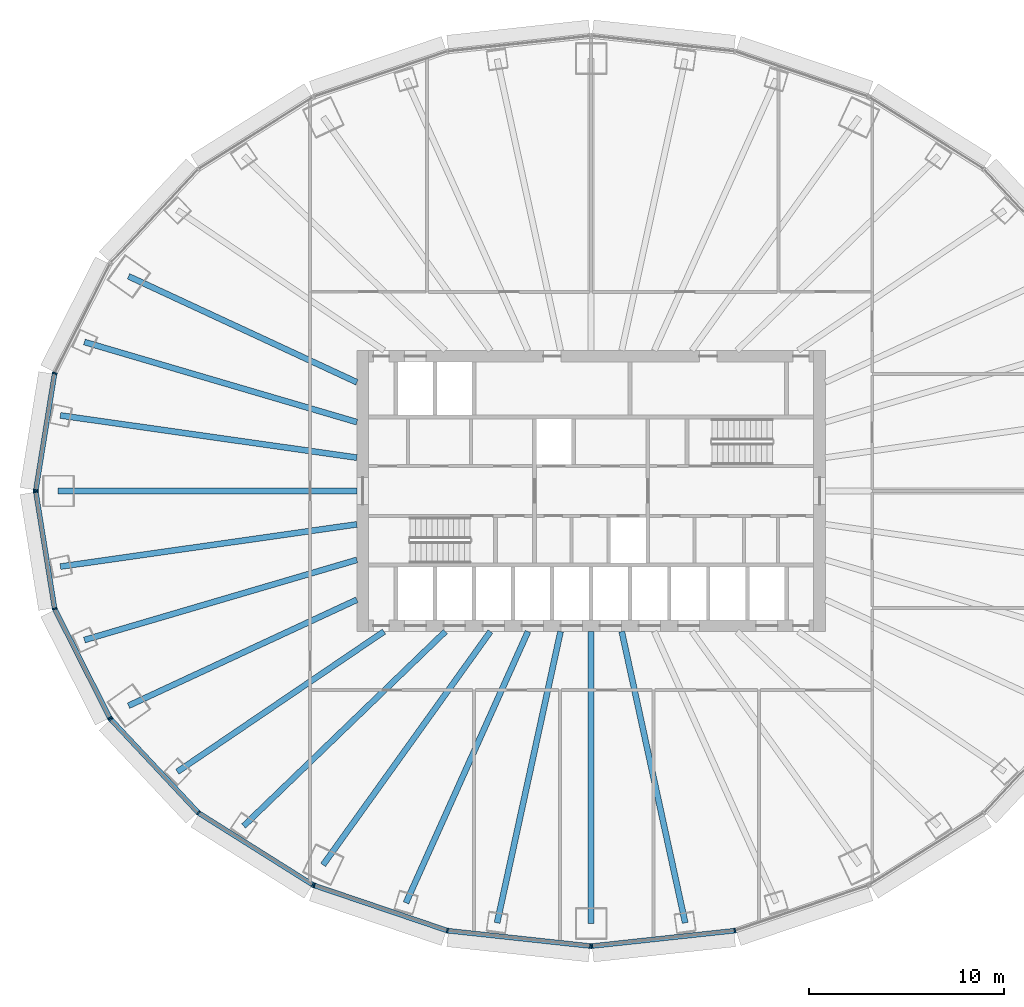
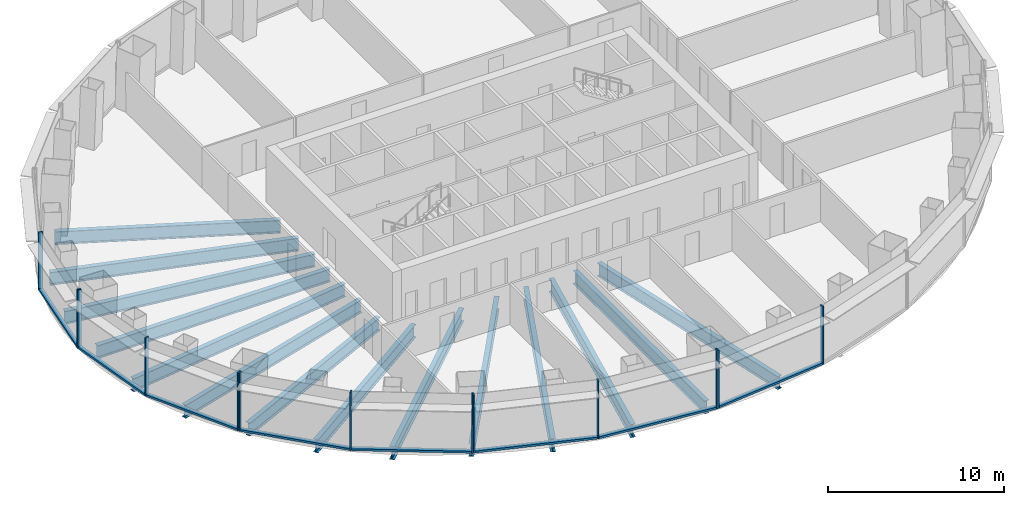
# One storey, part 2 of 13: 21 members, 14 beams, 5 elements without a shape of their own.
"""IFC4 building model written with IfcOpenShell, lengths in metres."""

import ifcopenshell
import ifcopenshell.guid

model = None  # the IFC model being written
_history = None  # IfcOwnerHistory: only IFC2X3 demands one
_inside = {}  # id of a spatial element -> (the spatial element, [elements in it])
_under = {}  # id of a project, library or spatial element -> (it, [spatial elements below it])
_declared = {}  # id of a project -> (the project, [libraries it declares])
_typed = {}  # id of a type object -> (the type object, [elements of that type])
_made_of = {}  # id of a material, layer set ... -> (it, [elements and type objects made of it])


def new_model(schema):
    """Start an empty IFC model of exactly this schema.

    Asked for "IFC4X3", IfcOpenShell would pick the latest addendum, in which some entities
    have other attributes; the version numbers below select the first issue.
    IFC2X3 requires an IfcOwnerHistory on every rooted entity: one is made here for all.
    """
    global model, _history
    if schema == "IFC4X3":
        model = ifcopenshell.file(schema_version=(4, 3, 0, 0))
    else:
        model = ifcopenshell.file(schema=schema)
    _inside.clear()
    _under.clear()
    _declared.clear()
    _typed.clear()
    _made_of.clear()
    _history = None
    if model.schema == "IFC2X3":
        org = make("IfcOrganization", Name="unknown")
        user = make(
            "IfcPersonAndOrganization",
            ThePerson=make("IfcPerson", FamilyName="unknown"),
            TheOrganization=org,
        )
        app = make(
            "IfcApplication",
            ApplicationDeveloper=org,
            Version="unknown",
            ApplicationFullName="unknown",
            ApplicationIdentifier="unknown",
        )
        _history = make(
            "IfcOwnerHistory",
            OwningUser=user,
            OwningApplication=app,
            ChangeAction="ADDED",
            CreationDate=0,
        )
    return model


def make(cls, **values):
    """One entity of the class cls with the attributes given. An attribute that is None is left unset."""
    return model.create_entity(
        cls, **{name: value for name, value in values.items() if value is not None}
    )


def rooted(cls, **values):
    """An entity with a GlobalId (a new one), such as an element, a storey or a relation."""
    return make(cls, GlobalId=ifcopenshell.guid.new(), OwnerHistory=_history, **values)


def si_unit(unit_type, name, prefix=None):
    """IfcSIUnit, for example si_unit("LENGTHUNIT", "METRE", prefix="MILLI")."""
    return make("IfcSIUnit", UnitType=unit_type, Prefix=prefix, Name=name)


def assignment(units):
    """IfcUnitAssignment: the units of a project."""
    return None if units is None else make("IfcUnitAssignment", Units=units)


def point(xyz):
    """IfcCartesianPoint."""
    return None if xyz is None else make("IfcCartesianPoint", Coordinates=xyz)


def direction(xyz):
    """IfcDirection."""
    return None if xyz is None else make("IfcDirection", DirectionRatios=xyz)


def frame(location, z_axis=None, x_axis=None):
    """IfcAxis2Placement3D, a coordinate frame: its origin and axes. An axis left out is left unset."""
    return make(
        "IfcAxis2Placement3D",
        Location=point(location),
        Axis=direction(z_axis),
        RefDirection=direction(x_axis),
    )


def frame_2d(location, x_axis=None):
    """IfcAxis2Placement2D, a coordinate frame in the plane: its origin and x axis."""
    return make(
        "IfcAxis2Placement2D", Location=point(location), RefDirection=direction(x_axis)
    )


def origin():
    """The frame at (0, 0, 0) with its axes left unset."""
    return frame((0.0, 0.0, 0.0))


def origin_2d():
    """The frame at (0, 0) in the plane with its x axis left unset."""
    return frame_2d((0.0, 0.0))


def place(relative_to, where):
    """IfcLocalPlacement: puts the frame where relative to a parent placement (None: the world)."""
    return make(
        "IfcLocalPlacement", PlacementRelTo=relative_to, RelativePlacement=where
    )


def context(
    kind, dimensions, precision=None, world=None, true_north=None, identifier=None
):
    """IfcGeometricRepresentationContext, for example the 3D "Model" context."""
    return make(
        "IfcGeometricRepresentationContext",
        ContextIdentifier=identifier,
        ContextType=kind,
        CoordinateSpaceDimension=dimensions,
        Precision=precision,
        WorldCoordinateSystem=world,
        TrueNorth=true_north,
    )


def subcontext(parent, identifier, kind, view, scale=None):
    """IfcGeometricRepresentationSubContext, for example "Body" below "Model"."""
    return make(
        "IfcGeometricRepresentationSubContext",
        ContextIdentifier=identifier,
        ContextType=kind,
        ParentContext=parent,
        TargetScale=scale,
        TargetView=view,
    )


def project(units=None, contexts=None):
    """IfcProject with its units and contexts."""
    return rooted(
        "IfcProject",
        Name="project",
        RepresentationContexts=contexts,
        UnitsInContext=assignment(units),
    )


def spatial(cls, under=None, at=None, **own):
    """A site, building, storey or space (cls), placed at a placement, below another one or the project."""
    s = rooted(cls, ObjectPlacement=at, **own)
    if under is not None:
        _under.setdefault(under.id(), (under, []))[1].append(s)
    return s


def profile(cls, at=None, kind="AREA", **sizes):
    """A parametric profile (cls). Its sizes go by their IFC names, for example OverallWidth=200.0."""
    return make(cls, ProfileType=kind, Position=at, **sizes)


def rectangle(**sizes):
    """IfcRectangleProfileDef."""
    return profile("IfcRectangleProfileDef", **sizes)


def i_section(**sizes):
    """IfcIShapeProfileDef."""
    return profile("IfcIShapeProfileDef", **sizes)


def extrude(swept, where, along, depth):
    """IfcExtrudedAreaSolid: the profile swept, set in the frame where, extruded along a direction by depth."""
    return make(
        "IfcExtrudedAreaSolid",
        SweptArea=swept,
        Position=where,
        ExtrudedDirection=direction(along),
        Depth=depth,
    )


def shape(context_of_items, identifier, shape_type, items):
    """IfcShapeRepresentation: the items that make up one representation, for example the "Body"."""
    return make(
        "IfcShapeRepresentation",
        ContextOfItems=context_of_items,
        RepresentationIdentifier=identifier,
        RepresentationType=shape_type,
        Items=items,
    )


def material(Name=None, Category=None):
    """IfcMaterial."""
    return make("IfcMaterial", Name=Name, Category=Category)


def layer(
    of_material, thickness, ventilated=None, Name=None, Category=None, Priority=None
):
    """IfcMaterialLayer: one layer of a wall or slab, of a material (None: an air gap)."""
    return make(
        "IfcMaterialLayer",
        Material=of_material,
        LayerThickness=thickness,
        IsVentilated=ventilated,
        Name=Name,
        Category=Category,
        Priority=Priority,
    )


def layer_set(layers, Name=None):
    """IfcMaterialLayerSet."""
    return make("IfcMaterialLayerSet", MaterialLayers=layers, LayerSetName=Name)


def material_profile(
    of_material, cross_section, Name=None, Category=None, Priority=None
):
    """IfcMaterialProfile: a cross section and its material."""
    return make(
        "IfcMaterialProfile",
        Name=Name,
        Material=of_material,
        Profile=cross_section,
        Priority=Priority,
        Category=Category,
    )


def profile_set(profiles, Name=None, composite=None):
    """IfcMaterialProfileSet."""
    return make(
        "IfcMaterialProfileSet",
        Name=Name,
        MaterialProfiles=profiles,
        CompositeProfile=composite,
    )


def made_of(thing, what):
    """Note that an element or type object is made of a material, layer set ...; save() writes the relation."""
    if what is not None:
        _made_of.setdefault(what.id(), (what, []))[1].append(thing)
    return thing


def type_object(cls, material=None, **own):
    """A type object (cls), such as IfcWallType, which elements share."""
    return made_of(rooted(cls, **own), material)


def element(
    cls,
    number,
    at=None,
    inside=None,
    cuts=None,
    type_object=None,
    material=None,
    context=None,
    identifier="Body",
    shape_type=None,
    held_by="IfcProductDefinitionShape",
    body=None,
    shapes=None,
    **own,
):
    """One element of the class cls, such as IfcWall. Its Tag is "e" and its number.

    at: its placement. inside: the storey or other place that contains it. cuts: it is an
    opening in that element (IfcRelVoidsElement). A single representation is given by context,
    identifier, shape_type and body (its items); several are given by shapes. held_by: the class
    of the entity that holds the representations. save() writes the other relations.
    """
    e = rooted(cls, Tag="e%d" % number, ObjectPlacement=at, **own)
    if body is not None:
        shapes = [shape(context, identifier, shape_type, body)]
    if shapes is not None:
        e.Representation = make(held_by, Representations=shapes)
    if inside is not None:
        _inside.setdefault(inside.id(), (inside, []))[1].append(e)
    if cuts is not None:
        rooted(
            "IfcRelVoidsElement", RelatingBuildingElement=cuts, RelatedOpeningElement=e
        )
    if type_object is not None:
        _typed.setdefault(type_object.id(), (type_object, []))[1].append(e)
    return made_of(e, material)


def aggregate(whole, parts):
    """IfcRelAggregates: a whole, such as a stair, and the parts it consists of."""
    return rooted("IfcRelAggregates", RelatingObject=whole, RelatedObjects=parts)


def save(model, path):
    """Write the relations noted so far, then the file.

    IfcRelAggregates (storeys below a building ...), IfcRelContainedInSpatialStructure (elements
    in a storey), IfcRelDefinesByType, IfcRelAssociatesMaterial and IfcRelDeclares: one each for
    every whole, place, type object, material and project.
    """
    for whole, parts in _under.values():
        aggregate(whole, parts)
    for where, things in _inside.values():
        rooted(
            "IfcRelContainedInSpatialStructure",
            RelatedElements=things,
            RelatingStructure=where,
        )
    for kind, things in _typed.values():
        rooted("IfcRelDefinesByType", RelatedObjects=things, RelatingType=kind)
    for what, things in _made_of.values():
        rooted("IfcRelAssociatesMaterial", RelatedObjects=things, RelatingMaterial=what)
    for by, libraries in _declared.values():
        rooted("IfcRelDeclares", RelatingContext=by, RelatedDefinitions=libraries)
    model.write(path)


model = new_model("IFC4")

# Units and contexts
model_context = context("Model", 3, precision=1e-05, world=origin(), true_north=direction((0.0, 1.0)))
body_context = subcontext(model_context, "Body", "Model", "MODEL_VIEW")
ifc_project = project(units=[si_unit("LENGTHUNIT", "METRE"), si_unit("AREAUNIT", "SQUARE_METRE"), si_unit("VOLUMEUNIT", "CUBIC_METRE"), si_unit("PLANEANGLEUNIT", "RADIAN"), si_unit("MASSUNIT", "GRAM", prefix="KILO")], contexts=[model_context])

# Site, building, storey
site_placement = place(None, origin())
site = spatial("IfcSite", under=ifc_project, at=site_placement, CompositionType="ELEMENT")
building_placement = place(site_placement, origin())
building = spatial("IfcBuilding", under=site, at=building_placement, Name="Siaravel Broadcast Tower", CompositionType="ELEMENT")
storey_placement = place(building_placement, frame((0.0, 0.0, 32.89990234375)))
storey = spatial("IfcBuildingStorey", under=building, at=storey_placement, Name="L06", CompositionType="ELEMENT", Elevation=32.89990234375)

# Beams
ifc_material_1 = material(Name="Steel S355", Category="steel")
ifc_material_profile_1 = material_profile(ifc_material_1, i_section(OverallWidth=0.30322265625, OverallDepth=0.903076171875, WebThickness=0.01513671875, FlangeThickness=0.020263671875, FilletRadius=0.01904296875, at=origin_2d()))
ifc_profile_set_1 = profile_set([ifc_material_profile_1], Name="Steel S355")
beam_type = type_object("IfcBeamType", Name="BM-UB 914x305x201", PredefinedType="BEAM", material=ifc_profile_set_1)
beam_1_placement = place(storey_placement, frame((-23.69921875, 10.9990234375, -0.6513671875), z_axis=(0.907070929, -0.420977827, 0.0), x_axis=(0.420977827, 0.907070929, 0.0)))
element("IfcBeam", 1, at=beam_1_placement, inside=storey, type_object=beam_type, Name="Radial beam RB16", PredefinedType="BEAM", context=body_context, shape_type="SweptSolid", body=[
    extrude(i_section(OverallWidth=0.30322265625, OverallDepth=0.903076171875, WebThickness=0.01513671875, FlangeThickness=0.020263671875, FilletRadius=0.01904296875, at=origin_2d()), origin(), (0.0, 0.0, 1.0), 12.897705078125),
])
beam_2_placement = place(storey_placement, frame((-25.959716796875, 7.632568359375, -0.6513671875), z_axis=(0.959394352, -0.282068215, 0.0), x_axis=(0.282068215, 0.959394352, 0.0)))
element("IfcBeam", 2, at=beam_2_placement, inside=storey, type_object=beam_type, Name="Radial beam RB17", PredefinedType="BEAM", context=body_context, shape_type="SweptSolid", body=[
    extrude(i_section(OverallWidth=0.30322265625, OverallDepth=0.903076171875, WebThickness=0.01513671875, FlangeThickness=0.020263671875, FilletRadius=0.01904296875, at=origin_2d()), origin(), (0.0, 0.0, 1.0), 14.550537109375),
])
beam_3_placement = place(storey_placement, frame((-27.18994140625, 3.87158203125, -0.6513671875), z_axis=(0.990014628, -0.140964666, 0.0), x_axis=(0.140964666, 0.990014628, 0.0)))
element("IfcBeam", 3, at=beam_3_placement, inside=storey, type_object=beam_type, Name="Radial beam RB18", PredefinedType="BEAM", context=body_context, shape_type="SweptSolid", body=[
    extrude(i_section(OverallWidth=0.30322265625, OverallDepth=0.903076171875, WebThickness=0.01513671875, FlangeThickness=0.020263671875, FilletRadius=0.01904296875, at=origin_2d()), origin(), (0.0, 0.0, 1.0), 15.34326171875),
])
beam_4_placement = place(storey_placement, frame((-27.3037109375, 0.0, -0.6513671875), z_axis=(1.0, 0.0, 0.0), x_axis=(0.0, 1.0, 0.0)))
element("IfcBeam", 4, at=beam_4_placement, inside=storey, type_object=beam_type, Name="Radial beam RB19", PredefinedType="BEAM", context=body_context, shape_type="SweptSolid", body=[
    extrude(i_section(OverallWidth=0.30322265625, OverallDepth=0.903076171875, WebThickness=0.01513671875, FlangeThickness=0.020263671875, FilletRadius=0.01904296875, at=origin_2d()), origin(), (0.0, 0.0, 1.0), 15.3037109375),
])
beam_5_placement = place(storey_placement, frame((-27.18994140625, -3.87158203125, -0.6513671875), z_axis=(0.990014628, 0.140964666, 0.0), x_axis=(-0.140964666, 0.990014628, 0.0)))
element("IfcBeam", 5, at=beam_5_placement, inside=storey, type_object=beam_type, Name="Radial beam RB20", PredefinedType="BEAM", context=body_context, shape_type="SweptSolid", body=[
    extrude(i_section(OverallWidth=0.30322265625, OverallDepth=0.903076171875, WebThickness=0.01513671875, FlangeThickness=0.020263671875, FilletRadius=0.01904296875, at=origin_2d()), origin(), (0.0, 0.0, 1.0), 15.34326171875),
])
beam_6_placement = place(storey_placement, frame((-25.959716796875, -7.632568359375, -0.6513671875), z_axis=(0.959394352, 0.282068215, 0.0), x_axis=(-0.282068215, 0.959394352, 0.0)))
element("IfcBeam", 6, at=beam_6_placement, inside=storey, type_object=beam_type, Name="Radial beam RB21", PredefinedType="BEAM", context=body_context, shape_type="SweptSolid", body=[
    extrude(i_section(OverallWidth=0.30322265625, OverallDepth=0.903076171875, WebThickness=0.01513671875, FlangeThickness=0.020263671875, FilletRadius=0.01904296875, at=origin_2d()), origin(), (0.0, 0.0, 1.0), 14.550537109375),
])
beam_7_placement = place(storey_placement, frame((-23.69921875, -10.9990234375, -0.6513671875), z_axis=(0.907070929, 0.420977827, 0.0), x_axis=(-0.420977827, 0.907070929, 0.0)))
element("IfcBeam", 7, at=beam_7_placement, inside=storey, type_object=beam_type, Name="Radial beam RB22", PredefinedType="BEAM", context=body_context, shape_type="SweptSolid", body=[
    extrude(i_section(OverallWidth=0.30322265625, OverallDepth=0.903076171875, WebThickness=0.01513671875, FlangeThickness=0.020263671875, FilletRadius=0.01904296875, at=origin_2d()), origin(), (0.0, 0.0, 1.0), 12.897705078125),
])
beam_8_placement = place(storey_placement, frame((-21.19970703125, -14.382568359375, -0.6513671875), z_axis=(0.827525171, 0.561428617, 0.0), x_axis=(-0.561428617, 0.827525171, 0.0)))
element("IfcBeam", 8, at=beam_8_placement, inside=storey, type_object=beam_type, Name="Radial beam RB23", PredefinedType="BEAM", context=body_context, shape_type="SweptSolid", body=[
    extrude(i_section(OverallWidth=0.30322265625, OverallDepth=0.903076171875, WebThickness=0.01513671875, FlangeThickness=0.020263671875, FilletRadius=0.01904296875, at=origin_2d()), origin(), (0.0, 0.0, 1.0), 12.79345703125),
])
beam_9_placement = place(storey_placement, frame((-17.80419921875, -17.163330078125, -0.6513671875), z_axis=(0.719938673, 0.694037684, 0.0), x_axis=(-0.694037684, 0.719938673, 0.0)))
element("IfcBeam", 9, at=beam_9_placement, inside=storey, type_object=beam_type, Name="Radial beam RB24", PredefinedType="BEAM", context=body_context, shape_type="SweptSolid", body=[
    extrude(i_section(OverallWidth=0.30322265625, OverallDepth=0.903076171875, WebThickness=0.01513671875, FlangeThickness=0.020263671875, FilletRadius=0.01904296875, at=origin_2d()), origin(), (0.0, 0.0, 1.0), 14.355712890625),
])
beam_10_placement = place(storey_placement, frame((-13.7314453125, -19.154296875, -0.6513671875), z_axis=(0.582633165, 0.812735255, 0.0), x_axis=(-0.812735255, 0.582633165, 0.0)))
element("IfcBeam", 10, at=beam_10_placement, inside=storey, type_object=beam_type, Name="Radial beam RB25", PredefinedType="BEAM", context=body_context, shape_type="SweptSolid", body=[
    extrude(i_section(OverallWidth=0.30322265625, OverallDepth=0.903076171875, WebThickness=0.01513671875, FlangeThickness=0.020263671875, FilletRadius=0.01904296875, at=origin_2d()), origin(), (0.0, 0.0, 1.0), 14.708740234375),
])
beam_11_placement = place(storey_placement, frame((-9.486083984375, -21.095947265625, -0.6513671875), z_axis=(0.410110148, 0.912036001, 0.0), x_axis=(-0.912036001, 0.410110148, 0.0)))
element("IfcBeam", 11, at=beam_11_placement, inside=storey, type_object=beam_type, Name="Radial beam RB26", PredefinedType="BEAM", context=body_context, shape_type="SweptSolid", body=[
    extrude(i_section(OverallWidth=0.30322265625, OverallDepth=0.903076171875, WebThickness=0.01513671875, FlangeThickness=0.020263671875, FilletRadius=0.01904296875, at=origin_2d()), origin(), (0.0, 0.0, 1.0), 15.236328125),
])
beam_12_placement = place(storey_placement, frame((-4.81787109375, -22.12060546875, -0.6513671875), z_axis=(0.212813277, 0.977092887, 0.0), x_axis=(-0.977092887, 0.212813277, 0.0)))
element("IfcBeam", 12, at=beam_12_placement, inside=storey, type_object=beam_type, Name="Radial beam RB27", PredefinedType="BEAM", context=body_context, shape_type="SweptSolid", body=[
    extrude(i_section(OverallWidth=0.30322265625, OverallDepth=0.903076171875, WebThickness=0.01513671875, FlangeThickness=0.020263671875, FilletRadius=0.01904296875, at=origin_2d()), origin(), (0.0, 0.0, 1.0), 15.2705078125),
])
beam_13_placement = place(storey_placement, frame((0.0, -22.165771484375, -0.6513671875), z_axis=(0.0, 1.0, 0.0), x_axis=(-1.0, 0.0, 0.0)))
element("IfcBeam", 13, at=beam_13_placement, inside=storey, type_object=beam_type, Name="Radial beam RB28", PredefinedType="BEAM", context=body_context, shape_type="SweptSolid", body=[
    extrude(i_section(OverallWidth=0.30322265625, OverallDepth=0.903076171875, WebThickness=0.01513671875, FlangeThickness=0.020263671875, FilletRadius=0.01904296875, at=origin_2d()), origin(), (0.0, 0.0, 1.0), 14.9658203125),
])
beam_14_placement = place(storey_placement, frame((4.81787109375, -22.12060546875, -0.6513671875), z_axis=(-0.212813277, 0.977092887, 0.0), x_axis=(-0.977092887, -0.212813277, 0.0)))
element("IfcBeam", 14, at=beam_14_placement, inside=storey, type_object=beam_type, Name="Radial beam RB29", PredefinedType="BEAM", context=body_context, shape_type="SweptSolid", body=[
    extrude(i_section(OverallWidth=0.30322265625, OverallDepth=0.903076171875, WebThickness=0.01513671875, FlangeThickness=0.020263671875, FilletRadius=0.01904296875, at=origin_2d()), origin(), (0.0, 0.0, 1.0), 15.2705078125),
])

# Curtain wall, members
ifc_material_2 = material(Name="Aluminium 6063-T6", Category="aluminium")
ifc_layer = layer(ifc_material_2, 0.25)
ifc_layer_set = layer_set([ifc_layer], Name="Aluminium 6063-T6")
curtain_wall_type = type_object("IfcCurtainWallType", Name="Podium newsroom glazing", PredefinedType="NOTDEFINED", material=ifc_layer_set)
curtain_wall_1_placement = place(storey_placement, origin())
curtain_wall_1 = element("IfcCurtainWall", 15, at=curtain_wall_1_placement, inside=storey, type_object=curtain_wall_type, Name="L06 Podium newsroom glazing 06", PredefinedType="NOTDEFINED")
ifc_material_profile_2 = material_profile(ifc_material_2, rectangle(XDim=0.25, YDim=0.080078125, at=origin_2d()))
ifc_profile_set_2 = profile_set([ifc_material_profile_2], Name="Aluminium 6063-T6")
member_type_1 = type_object("IfcMemberType", Name="CW-PD mullion", PredefinedType="MULLION", material=ifc_profile_set_2)
member_1_placement = place(storey_placement, frame((-27.4833984375, 6.037109375, 0.0), z_axis=(0.0, 0.0, 1.0), x_axis=(0.951176868, -0.308646343, 0.0)))
member_1 = element("IfcMember", 16, at=member_1_placement, type_object=member_type_1, Name="CW-PD mullion 2", PredefinedType="MULLION", context=body_context, shape_type="SweptSolid", body=[
    extrude(rectangle(XDim=0.25, YDim=0.080078125, at=origin_2d()), origin(), (0.0, 0.0, 1.0), 4.050048828125),
])
member_2_placement = place(storey_placement, frame((-28.447265625, 0.03955078125, 0.0), z_axis=(0.0, 0.0, 1.0), x_axis=(0.987329072, -0.158686178, 0.0)))
member_2 = element("IfcMember", 17, at=member_2_placement, type_object=member_type_1, Name="CW-PD mullion 3", PredefinedType="MULLION", context=body_context, shape_type="SweptSolid", body=[
    extrude(rectangle(XDim=0.25, YDim=0.080078125, at=origin_2d()), origin(), (0.0, 0.0, 1.0), 4.050048828125),
])

curtain_wall_2_placement = place(storey_placement, origin())
curtain_wall_2 = element("IfcCurtainWall", 18, at=curtain_wall_2_placement, inside=storey, type_object=curtain_wall_type, Name="L06 Podium newsroom glazing 07", PredefinedType="NOTDEFINED")
member_3_placement = place(storey_placement, frame((-28.447265625, -0.03955078125, 0.0), z_axis=(0.0, 0.0, 1.0), x_axis=(0.987329072, 0.158686178, 0.0)))
member_3 = element("IfcMember", 19, at=member_3_placement, type_object=member_type_1, Name="CW-PD mullion 1", PredefinedType="MULLION", context=body_context, shape_type="SweptSolid", body=[
    extrude(rectangle(XDim=0.25, YDim=0.080078125, at=origin_2d()), origin(), (0.0, 0.0, 1.0), 4.050048828125),
])
member_4_placement = place(storey_placement, frame((-27.4833984375, -6.037109375, 0.0), z_axis=(0.0, 0.0, 1.0), x_axis=(0.951176868, 0.308646343, 0.0)))
member_4 = element("IfcMember", 20, at=member_4_placement, type_object=member_type_1, Name="CW-PD mullion 2", PredefinedType="MULLION", context=body_context, shape_type="SweptSolid", body=[
    extrude(rectangle(XDim=0.25, YDim=0.080078125, at=origin_2d()), origin(), (0.0, 0.0, 1.0), 4.050048828125),
])
member_5_placement = place(storey_placement, frame((-24.6572265625, -11.6259765625, 0.0), z_axis=(0.0, 0.0, 1.0), x_axis=(0.89239138, 0.451262258, 0.0)))
member_5 = element("IfcMember", 21, at=member_5_placement, type_object=member_type_1, Name="CW-PD mullion 3", PredefinedType="MULLION", context=body_context, shape_type="SweptSolid", body=[
    extrude(rectangle(XDim=0.25, YDim=0.080078125, at=origin_2d()), origin(), (0.0, 0.0, 1.0), 4.050048828125),
])

curtain_wall_3_placement = place(storey_placement, origin())
curtain_wall_3 = element("IfcCurtainWall", 22, at=curtain_wall_3_placement, inside=storey, type_object=curtain_wall_type, Name="L06 Podium newsroom glazing 08", PredefinedType="NOTDEFINED")
member_6_placement = place(storey_placement, frame((-24.61181640625, -11.69091796875, 0.0), z_axis=(0.0, 0.0, 1.0), x_axis=(0.729804146, 0.68365628, 0.0)))
member_6 = element("IfcMember", 23, at=member_6_placement, type_object=member_type_1, Name="CW-PD mullion 1", PredefinedType="MULLION", context=body_context, shape_type="SweptSolid", body=[
    extrude(rectangle(XDim=0.25, YDim=0.080078125, at=origin_2d()), origin(), (0.0, 0.0, 1.0), 4.050048828125),
])
member_7_placement = place(storey_placement, frame((-20.1162109375, -16.489990234375, 0.0), z_axis=(0.0, 0.0, 1.0), x_axis=(0.636217558, 0.771509701, 0.0)))
member_7 = element("IfcMember", 24, at=member_7_placement, type_object=member_type_1, Name="CW-PD mullion 2", PredefinedType="MULLION", context=body_context, shape_type="SweptSolid", body=[
    extrude(rectangle(XDim=0.25, YDim=0.080078125, at=origin_2d()), origin(), (0.0, 0.0, 1.0), 4.050048828125),
])
member_8_placement = place(storey_placement, frame((-14.257080078125, -20.172607421875, 0.0), z_axis=(0.0, 0.0, 1.0), x_axis=(0.532148221, 0.84665121, 0.0)))
member_8 = element("IfcMember", 25, at=member_8_placement, type_object=member_type_1, Name="CW-PD mullion 3", PredefinedType="MULLION", context=body_context, shape_type="SweptSolid", body=[
    extrude(rectangle(XDim=0.25, YDim=0.080078125, at=origin_2d()), origin(), (0.0, 0.0, 1.0), 4.050048828125),
])

curtain_wall_4_placement = place(storey_placement, origin())
curtain_wall_4 = element("IfcCurtainWall", 26, at=curtain_wall_4_placement, inside=storey, type_object=curtain_wall_type, Name="L06 Podium newsroom glazing 09", PredefinedType="NOTDEFINED")
member_9_placement = place(storey_placement, frame((-14.185302734375, -20.206787109375, 0.0), z_axis=(0.0, 0.0, 1.0), x_axis=(0.321299974, 0.946977469, 0.0)))
member_9 = element("IfcMember", 27, at=member_9_placement, type_object=member_type_1, Name="CW-PD mullion 1", PredefinedType="MULLION", context=body_context, shape_type="SweptSolid", body=[
    extrude(rectangle(XDim=0.25, YDim=0.080078125, at=origin_2d()), origin(), (0.0, 0.0, 1.0), 4.050048828125),
])
member_10_placement = place(storey_placement, frame((-7.362060546875, -22.521728515625, 0.0), z_axis=(0.0, 0.0, 1.0), x_axis=(0.215557626, 0.976491121, 0.0)))
member_10 = element("IfcMember", 28, at=member_10_placement, type_object=member_type_1, Name="CW-PD mullion 2", PredefinedType="MULLION", context=body_context, shape_type="SweptSolid", body=[
    extrude(rectangle(XDim=0.25, YDim=0.080078125, at=origin_2d()), origin(), (0.0, 0.0, 1.0), 4.050048828125),
])
member_11_placement = place(storey_placement, frame((-0.039794921875, -23.311279296875, 0.0), z_axis=(0.0, 0.0, 1.0), x_axis=(0.107217269, 0.994235615, 0.0)))
member_11 = element("IfcMember", 29, at=member_11_placement, type_object=member_type_1, Name="CW-PD mullion 3", PredefinedType="MULLION", context=body_context, shape_type="SweptSolid", body=[
    extrude(rectangle(XDim=0.25, YDim=0.080078125, at=origin_2d()), origin(), (0.0, 0.0, 1.0), 4.050048828125),
])

curtain_wall_5_placement = place(storey_placement, origin())
curtain_wall_5 = element("IfcCurtainWall", 30, at=curtain_wall_5_placement, inside=storey, type_object=curtain_wall_type, Name="L06 Podium newsroom glazing 10", PredefinedType="NOTDEFINED")
member_12_placement = place(storey_placement, frame((0.039794921875, -23.311279296875, 0.0), z_axis=(0.0, 0.0, 1.0), x_axis=(-0.107217269, 0.994235615, 0.0)))
member_12 = element("IfcMember", 31, at=member_12_placement, type_object=member_type_1, Name="CW-PD mullion 1", PredefinedType="MULLION", context=body_context, shape_type="SweptSolid", body=[
    extrude(rectangle(XDim=0.25, YDim=0.080078125, at=origin_2d()), origin(), (0.0, 0.0, 1.0), 4.050048828125),
])
member_13_placement = place(storey_placement, frame((7.362060546875, -22.521728515625, 0.0), z_axis=(0.0, 0.0, 1.0), x_axis=(-0.215557626, 0.976491121, 0.0)))
member_13 = element("IfcMember", 32, at=member_13_placement, type_object=member_type_1, Name="CW-PD mullion 2", PredefinedType="MULLION", context=body_context, shape_type="SweptSolid", body=[
    extrude(rectangle(XDim=0.25, YDim=0.080078125, at=origin_2d()), origin(), (0.0, 0.0, 1.0), 4.050048828125),
])

# Member
ifc_material_profile_3 = material_profile(ifc_material_2, rectangle(XDim=0.25, YDim=0.139892578125, at=origin_2d()))
ifc_profile_set_3 = profile_set([ifc_material_profile_3], Name="Aluminium 6063-T6")
member_type_2 = type_object("IfcMemberType", Name="CW-PD transom", PredefinedType="USERDEFINED", material=ifc_profile_set_3)
member_14_placement = place(storey_placement, frame((-27.489501953125, 5.997802734375, 0.070068359375), z_axis=(-0.158709998, -0.987325244, 0.0), x_axis=(0.987325244, -0.158709998, 0.0)))
member_14 = element("IfcMember", 33, at=member_14_placement, type_object=member_type_2, Name="CW-PD transom 2", ObjectType="TRANSOM", PredefinedType="USERDEFINED", context=body_context, shape_type="SweptSolid", body=[
    extrude(rectangle(XDim=0.25, YDim=0.139892578125, at=origin_2d()), origin(), (0.0, 0.0, 1.0), 5.99462890625),
])

aggregate(curtain_wall_1, [member_1, member_2, member_14])

member_15_placement = place(storey_placement, frame((-28.44091796875, -0.0791015625, 0.070068359375), z_axis=(0.158709998, -0.987325244, 0.0), x_axis=(0.987325244, 0.158709998, 0.0)))
member_15 = element("IfcMember", 34, at=member_15_placement, type_object=member_type_2, Name="CW-PD transom 1", ObjectType="TRANSOM", PredefinedType="USERDEFINED", context=body_context, shape_type="SweptSolid", body=[
    extrude(rectangle(XDim=0.25, YDim=0.139892578125, at=origin_2d()), origin(), (0.0, 0.0, 1.0), 5.99462890625),
])

member_16_placement = place(storey_placement, frame((-27.465087890625, -6.07275390625, 0.070068359375), z_axis=(0.451221003, -0.89241224, 0.0), x_axis=(0.89241224, 0.451221003, 0.0)))
member_16 = element("IfcMember", 35, at=member_16_placement, type_object=member_type_2, Name="CW-PD transom 2", ObjectType="TRANSOM", PredefinedType="USERDEFINED", context=body_context, shape_type="SweptSolid", body=[
    extrude(rectangle(XDim=0.25, YDim=0.139892578125, at=origin_2d()), origin(), (0.0, 0.0, 1.0), 6.182861328125),
])

aggregate(curtain_wall_2, [member_3, member_4, member_5, member_15, member_16])

member_17_placement = place(storey_placement, frame((-24.58447265625, -11.719970703125, 0.070068359375), z_axis=(0.683673548, -0.729787969, 0.0), x_axis=(0.729787969, 0.683673548, 0.0)))
member_17 = element("IfcMember", 36, at=member_17_placement, type_object=member_type_2, Name="CW-PD transom 1", ObjectType="TRANSOM", PredefinedType="USERDEFINED", context=body_context, shape_type="SweptSolid", body=[
    extrude(rectangle(XDim=0.25, YDim=0.139892578125, at=origin_2d()), origin(), (0.0, 0.0, 1.0), 6.49609375),
])

member_18_placement = place(storey_placement, frame((-20.082275390625, -16.51123046875, 0.070068359375), z_axis=(0.846642063, -0.532162774, 0.0), x_axis=(0.532162774, 0.846642063, 0.0)))
member_18 = element("IfcMember", 37, at=member_18_placement, type_object=member_type_2, Name="CW-PD transom 2", ObjectType="TRANSOM", PredefinedType="USERDEFINED", context=body_context, shape_type="SweptSolid", body=[
    extrude(rectangle(XDim=0.25, YDim=0.139892578125, at=origin_2d()), origin(), (0.0, 0.0, 1.0), 6.84033203125),
])

aggregate(curtain_wall_3, [member_6, member_7, member_8, member_17, member_18])

member_19_placement = place(storey_placement, frame((-14.1474609375, -20.219482421875, 0.070068359375), z_axis=(0.946980562, -0.321290858, 0.0), x_axis=(0.321290858, 0.946980562, 0.0)))
member_19 = element("IfcMember", 38, at=member_19_placement, type_object=member_type_2, Name="CW-PD transom 1", ObjectType="TRANSOM", PredefinedType="USERDEFINED", context=body_context, shape_type="SweptSolid", body=[
    extrude(rectangle(XDim=0.25, YDim=0.139892578125, at=origin_2d()), origin(), (0.0, 0.0, 1.0), 7.125244140625),
])

member_20_placement = place(storey_placement, frame((-7.322265625, -22.526123046875, 0.070068359375), z_axis=(0.994236146, -0.107212345, 0.0), x_axis=(0.107212345, 0.994236146, 0.0)))
member_20 = element("IfcMember", 39, at=member_20_placement, type_object=member_type_2, Name="CW-PD transom 2", ObjectType="TRANSOM", PredefinedType="USERDEFINED", context=body_context, shape_type="SweptSolid", body=[
    extrude(rectangle(XDim=0.25, YDim=0.139892578125, at=origin_2d()), origin(), (0.0, 0.0, 1.0), 7.28466796875),
])

aggregate(curtain_wall_4, [member_9, member_10, member_11, member_19, member_20])

member_21_placement = place(storey_placement, frame((0.07958984375, -23.30712890625, 0.070068359375), z_axis=(0.994236146, 0.107212345, 0.0), x_axis=(-0.107212345, 0.994236146, 0.0)))
member_21 = element("IfcMember", 40, at=member_21_placement, type_object=member_type_2, Name="CW-PD transom 1", ObjectType="TRANSOM", PredefinedType="USERDEFINED", context=body_context, shape_type="SweptSolid", body=[
    extrude(rectangle(XDim=0.25, YDim=0.139892578125, at=origin_2d()), origin(), (0.0, 0.0, 1.0), 7.28466796875),
])

aggregate(curtain_wall_5, [member_12, member_13, member_21])

save(model, "model.ifc")
